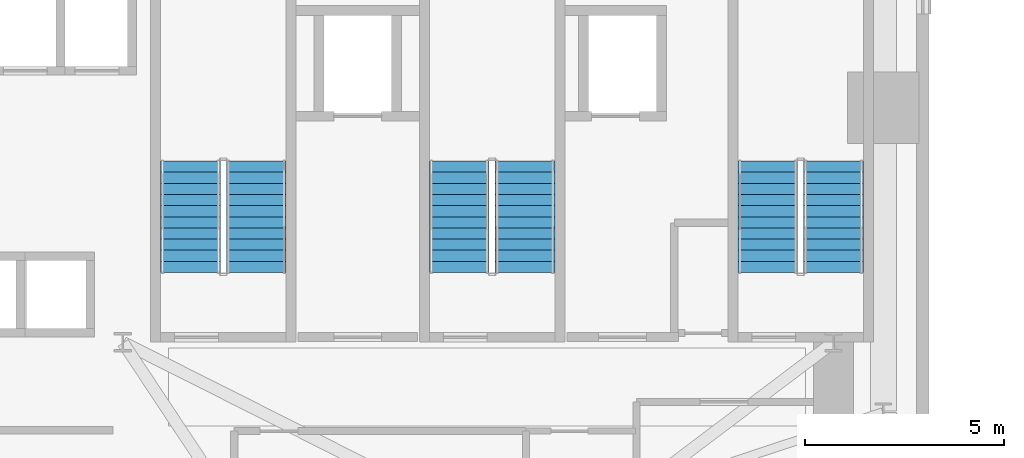
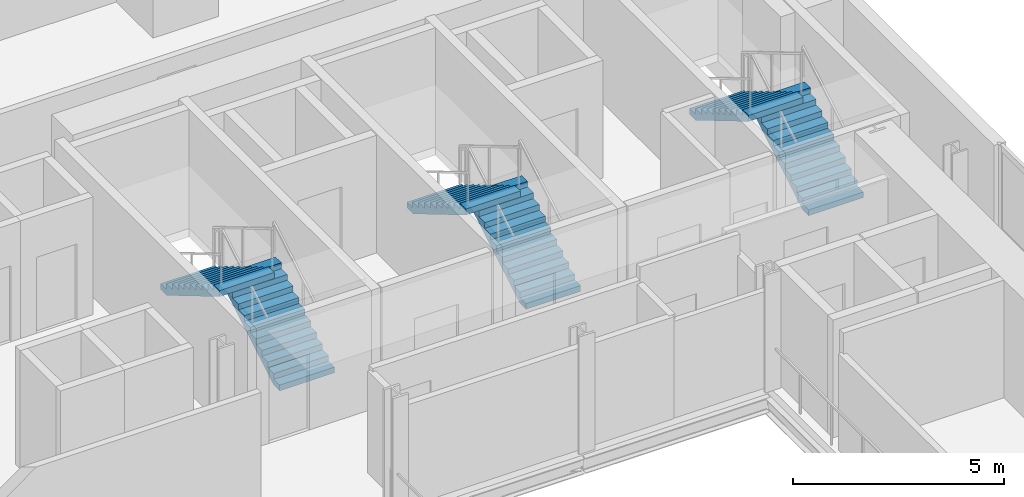
# One storey, part 9 of 13: 6 stair flights, 3 elements without a shape of their own.
"""IFC4 building model written with IfcOpenShell, lengths in metres."""

import ifcopenshell
import ifcopenshell.guid

model = None  # the IFC model being written
_history = None  # IfcOwnerHistory: only IFC2X3 demands one
_inside = {}  # id of a spatial element -> (the spatial element, [elements in it])
_under = {}  # id of a project, library or spatial element -> (it, [spatial elements below it])
_declared = {}  # id of a project -> (the project, [libraries it declares])
_typed = {}  # id of a type object -> (the type object, [elements of that type])
_made_of = {}  # id of a material, layer set ... -> (it, [elements and type objects made of it])


def new_model(schema):
    """Start an empty IFC model of exactly this schema.

    Asked for "IFC4X3", IfcOpenShell would pick the latest addendum, in which some entities
    have other attributes; the version numbers below select the first issue.
    IFC2X3 requires an IfcOwnerHistory on every rooted entity: one is made here for all.
    """
    global model, _history
    if schema == "IFC4X3":
        model = ifcopenshell.file(schema_version=(4, 3, 0, 0))
    else:
        model = ifcopenshell.file(schema=schema)
    _inside.clear()
    _under.clear()
    _declared.clear()
    _typed.clear()
    _made_of.clear()
    _history = None
    if model.schema == "IFC2X3":
        org = make("IfcOrganization", Name="unknown")
        user = make(
            "IfcPersonAndOrganization",
            ThePerson=make("IfcPerson", FamilyName="unknown"),
            TheOrganization=org,
        )
        app = make(
            "IfcApplication",
            ApplicationDeveloper=org,
            Version="unknown",
            ApplicationFullName="unknown",
            ApplicationIdentifier="unknown",
        )
        _history = make(
            "IfcOwnerHistory",
            OwningUser=user,
            OwningApplication=app,
            ChangeAction="ADDED",
            CreationDate=0,
        )
    return model


def make(cls, **values):
    """One entity of the class cls with the attributes given. An attribute that is None is left unset."""
    return model.create_entity(
        cls, **{name: value for name, value in values.items() if value is not None}
    )


def rooted(cls, **values):
    """An entity with a GlobalId (a new one), such as an element, a storey or a relation."""
    return make(cls, GlobalId=ifcopenshell.guid.new(), OwnerHistory=_history, **values)


def si_unit(unit_type, name, prefix=None):
    """IfcSIUnit, for example si_unit("LENGTHUNIT", "METRE", prefix="MILLI")."""
    return make("IfcSIUnit", UnitType=unit_type, Prefix=prefix, Name=name)


def assignment(units):
    """IfcUnitAssignment: the units of a project."""
    return None if units is None else make("IfcUnitAssignment", Units=units)


def point(xyz):
    """IfcCartesianPoint."""
    return None if xyz is None else make("IfcCartesianPoint", Coordinates=xyz)


def direction(xyz):
    """IfcDirection."""
    return None if xyz is None else make("IfcDirection", DirectionRatios=xyz)


def frame(location, z_axis=None, x_axis=None):
    """IfcAxis2Placement3D, a coordinate frame: its origin and axes. An axis left out is left unset."""
    return make(
        "IfcAxis2Placement3D",
        Location=point(location),
        Axis=direction(z_axis),
        RefDirection=direction(x_axis),
    )


def origin():
    """The frame at (0, 0, 0) with its axes left unset."""
    return frame((0.0, 0.0, 0.0))


def place(relative_to, where):
    """IfcLocalPlacement: puts the frame where relative to a parent placement (None: the world)."""
    return make(
        "IfcLocalPlacement", PlacementRelTo=relative_to, RelativePlacement=where
    )


def context(
    kind, dimensions, precision=None, world=None, true_north=None, identifier=None
):
    """IfcGeometricRepresentationContext, for example the 3D "Model" context."""
    return make(
        "IfcGeometricRepresentationContext",
        ContextIdentifier=identifier,
        ContextType=kind,
        CoordinateSpaceDimension=dimensions,
        Precision=precision,
        WorldCoordinateSystem=world,
        TrueNorth=true_north,
    )


def subcontext(parent, identifier, kind, view, scale=None):
    """IfcGeometricRepresentationSubContext, for example "Body" below "Model"."""
    return make(
        "IfcGeometricRepresentationSubContext",
        ContextIdentifier=identifier,
        ContextType=kind,
        ParentContext=parent,
        TargetScale=scale,
        TargetView=view,
    )


def project(units=None, contexts=None):
    """IfcProject with its units and contexts."""
    return rooted(
        "IfcProject",
        Name="project",
        RepresentationContexts=contexts,
        UnitsInContext=assignment(units),
    )


def spatial(cls, under=None, at=None, **own):
    """A site, building, storey or space (cls), placed at a placement, below another one or the project."""
    s = rooted(cls, ObjectPlacement=at, **own)
    if under is not None:
        _under.setdefault(under.id(), (under, []))[1].append(s)
    return s


def polyline(points):
    """IfcPolyline through the points."""
    return make("IfcPolyline", Points=[point(p) for p in points])


def outline(outer, holes=None, kind="AREA"):
    """IfcArbitraryClosedProfileDef: a profile drawn as a closed curve; with holes, ...WithVoids."""
    if holes is None:
        return make("IfcArbitraryClosedProfileDef", ProfileType=kind, OuterCurve=outer)
    return make(
        "IfcArbitraryProfileDefWithVoids",
        ProfileType=kind,
        OuterCurve=outer,
        InnerCurves=holes,
    )


def extrude(swept, where, along, depth):
    """IfcExtrudedAreaSolid: the profile swept, set in the frame where, extruded along a direction by depth."""
    return make(
        "IfcExtrudedAreaSolid",
        SweptArea=swept,
        Position=where,
        ExtrudedDirection=direction(along),
        Depth=depth,
    )


def shape(context_of_items, identifier, shape_type, items):
    """IfcShapeRepresentation: the items that make up one representation, for example the "Body"."""
    return make(
        "IfcShapeRepresentation",
        ContextOfItems=context_of_items,
        RepresentationIdentifier=identifier,
        RepresentationType=shape_type,
        Items=items,
    )


def source(mapping_origin, context_of_items, identifier, shape_type, items):
    """IfcRepresentationMap: a shape defined once, which mapped items show again and again."""
    return make(
        "IfcRepresentationMap",
        MappingOrigin=mapping_origin,
        MappedRepresentation=shape(context_of_items, identifier, shape_type, items),
    )


def transform(
    local_origin,
    x_axis=None,
    y_axis=None,
    z_axis=None,
    scale=None,
    scale2=None,
    scale3=None,
    uniform=True,
):
    """IfcCartesianTransformationOperator3D, or its non-uniform kind. x_axis, y_axis, z_axis: its Axis1, 2, 3."""
    if uniform:
        return make(
            "IfcCartesianTransformationOperator3D",
            Axis1=direction(x_axis),
            Axis2=direction(y_axis),
            LocalOrigin=point(local_origin),
            Scale=scale,
            Axis3=direction(z_axis),
        )
    return make(
        "IfcCartesianTransformationOperator3DnonUniform",
        Axis1=direction(x_axis),
        Axis2=direction(y_axis),
        LocalOrigin=point(local_origin),
        Scale=scale,
        Axis3=direction(z_axis),
        Scale2=scale2,
        Scale3=scale3,
    )


def mapped(mapping_source, mapping_target):
    """IfcMappedItem: shows the shape of a source again, moved by a transform."""
    return make(
        "IfcMappedItem", MappingSource=mapping_source, MappingTarget=mapping_target
    )


def material(Name=None, Category=None):
    """IfcMaterial."""
    return make("IfcMaterial", Name=Name, Category=Category)


def made_of(thing, what):
    """Note that an element or type object is made of a material, layer set ...; save() writes the relation."""
    if what is not None:
        _made_of.setdefault(what.id(), (what, []))[1].append(thing)
    return thing


def type_object(cls, material=None, **own):
    """A type object (cls), such as IfcWallType, which elements share."""
    return made_of(rooted(cls, **own), material)


def element(
    cls,
    number,
    at=None,
    inside=None,
    cuts=None,
    type_object=None,
    material=None,
    context=None,
    identifier="Body",
    shape_type=None,
    held_by="IfcProductDefinitionShape",
    body=None,
    shapes=None,
    **own,
):
    """One element of the class cls, such as IfcWall. Its Tag is "e" and its number.

    at: its placement. inside: the storey or other place that contains it. cuts: it is an
    opening in that element (IfcRelVoidsElement). A single representation is given by context,
    identifier, shape_type and body (its items); several are given by shapes. held_by: the class
    of the entity that holds the representations. save() writes the other relations.
    """
    e = rooted(cls, Tag="e%d" % number, ObjectPlacement=at, **own)
    if body is not None:
        shapes = [shape(context, identifier, shape_type, body)]
    if shapes is not None:
        e.Representation = make(held_by, Representations=shapes)
    if inside is not None:
        _inside.setdefault(inside.id(), (inside, []))[1].append(e)
    if cuts is not None:
        rooted(
            "IfcRelVoidsElement", RelatingBuildingElement=cuts, RelatedOpeningElement=e
        )
    if type_object is not None:
        _typed.setdefault(type_object.id(), (type_object, []))[1].append(e)
    return made_of(e, material)


def aggregate(whole, parts):
    """IfcRelAggregates: a whole, such as a stair, and the parts it consists of."""
    return rooted("IfcRelAggregates", RelatingObject=whole, RelatedObjects=parts)


def save(model, path):
    """Write the relations noted so far, then the file.

    IfcRelAggregates (storeys below a building ...), IfcRelContainedInSpatialStructure (elements
    in a storey), IfcRelDefinesByType, IfcRelAssociatesMaterial and IfcRelDeclares: one each for
    every whole, place, type object, material and project.
    """
    for whole, parts in _under.values():
        aggregate(whole, parts)
    for where, things in _inside.values():
        rooted(
            "IfcRelContainedInSpatialStructure",
            RelatedElements=things,
            RelatingStructure=where,
        )
    for kind, things in _typed.values():
        rooted("IfcRelDefinesByType", RelatedObjects=things, RelatingType=kind)
    for what, things in _made_of.values():
        rooted("IfcRelAssociatesMaterial", RelatedObjects=things, RelatingMaterial=what)
    for by, libraries in _declared.values():
        rooted("IfcRelDeclares", RelatingContext=by, RelatedDefinitions=libraries)
    model.write(path)


model = new_model("IFC4")

# Units and contexts
model_context = context("Model", 3, precision=1e-05, world=origin(), true_north=direction((0.0, 1.0)))
body_context = subcontext(model_context, "Body", "Model", "MODEL_VIEW")
ifc_project = project(units=[si_unit("LENGTHUNIT", "METRE"), si_unit("AREAUNIT", "SQUARE_METRE"), si_unit("VOLUMEUNIT", "CUBIC_METRE"), si_unit("PLANEANGLEUNIT", "RADIAN"), si_unit("MASSUNIT", "GRAM", prefix="KILO")], contexts=[model_context])

# Site, building, storey
site_placement = place(None, origin())
site = spatial("IfcSite", under=ifc_project, at=site_placement, CompositionType="ELEMENT")
building_placement = place(site_placement, origin())
building = spatial("IfcBuilding", under=site, at=building_placement, Name="Vardaveli Station Tower", CompositionType="ELEMENT")
storey_placement = place(building_placement, frame((0.0, 0.0, 82.35009765625)))
storey = spatial("IfcBuildingStorey", under=building, at=storey_placement, Name="L21", CompositionType="ELEMENT", Elevation=82.35009765625)

# Stair, stair flights
ifc_material = material(Name="Concrete C40/50", Category="concrete")
stair_type = type_object("IfcStairType", Name="STR-CORE-1500", PredefinedType="HALF_TURN_STAIR", material=ifc_material)
stair_1_placement = place(storey_placement, origin())
stair_1 = element("IfcStair", 1, at=stair_1_placement, inside=storey, type_object=stair_type, Name="L21 ST-1", PredefinedType="HALF_TURN_STAIR")
stair_flight_type = type_object("IfcStairFlightType", Name="SFL-CORE-1500", PredefinedType="STRAIGHT", material=ifc_material)
shared_shape = source(origin(), body_context, "Body", "SweptSolid", [
    extrude(outline(polyline([(0.0, 0.0), (0.0, 0.166015625), (0.280029296875, 0.166015625), (0.280029296875, 0.331787109375), (0.56005859375, 0.331787109375), (0.56005859375, 0.497802734375), (0.840087890625, 0.497802734375), (0.840087890625, 0.66357421875), (1.1201171875, 0.66357421875), (1.1201171875, 0.82958984375), (1.39990234375, 0.82958984375), (1.39990234375, 0.995361328125), (1.679931640625, 0.995361328125), (1.679931640625, 1.161376953125), (1.9599609375, 1.161376953125), (1.9599609375, 1.327392578125), (2.239990234375, 1.327392578125), (2.239990234375, 1.4931640625), (2.52001953125, 1.4931640625), (2.52001953125, 1.6591796875), (2.800048828125, 1.6591796875), (2.800048828125, 1.824951171875), (2.800048828125, 1.48486328125), (0.2939453125, 0.0), (0.0, 0.0)])), frame((0.0, 0.75, 0.0), z_axis=(0.0, -1.0, 0.0), x_axis=(1.0, 0.0, 0.0)), (0.0, 0.0, 1.0), 1.5),
])
stair_flight_1_placement = place(storey_placement, frame((32.0, 32.39990234375, 0.0), z_axis=(0.0, 0.0, 1.0), x_axis=(0.0, 1.0, 0.0)))
stair_flight_1 = element("IfcStairFlight", 2, at=stair_flight_1_placement, type_object=stair_flight_type, Name="ST-1 flight 1", NumberOfRisers=11, NumberOfTreads=10, PredefinedType="STRAIGHT", RiserHeight=0.165909091, TreadLength=0.28, context=body_context, shape_type="MappedRepresentation", body=[
    mapped(shared_shape, transform((0.0, 0.0, 0.0), scale=1.0)),
])
stair_flight_2_placement = place(storey_placement, frame((30.35009765625, 35.199951171875, 1.824951171875), z_axis=(0.0, 0.0, 1.0), x_axis=(0.0, -1.0, 0.0)))
stair_flight_2 = element("IfcStairFlight", 3, at=stair_flight_2_placement, type_object=stair_flight_type, Name="ST-1 flight 2", NumberOfRisers=11, NumberOfTreads=10, PredefinedType="STRAIGHT", RiserHeight=0.165909091, TreadLength=0.28, context=body_context, shape_type="MappedRepresentation", body=[
    mapped(shared_shape, transform((0.0, 0.0, 0.0), scale=1.0)),
])
aggregate(stair_1, [stair_flight_1, stair_flight_2])

stair_2_placement = place(storey_placement, origin())
stair_2 = element("IfcStair", 4, at=stair_2_placement, inside=storey, type_object=stair_type, Name="L21 ST-2", PredefinedType="HALF_TURN_STAIR")
stair_flight_3_placement = place(storey_placement, frame((38.75, 32.39990234375, 0.0), z_axis=(0.0, 0.0, 1.0), x_axis=(0.0, 1.0, 0.0)))
stair_flight_3 = element("IfcStairFlight", 5, at=stair_flight_3_placement, type_object=stair_flight_type, Name="ST-2 flight 1", NumberOfRisers=11, NumberOfTreads=10, PredefinedType="STRAIGHT", RiserHeight=0.165909091, TreadLength=0.28, context=body_context, shape_type="MappedRepresentation", body=[
    mapped(shared_shape, transform((0.0, 0.0, 0.0), scale=1.0)),
])
stair_flight_4_placement = place(storey_placement, frame((37.10009765625, 35.199951171875, 1.824951171875), z_axis=(0.0, 0.0, 1.0), x_axis=(0.0, -1.0, 0.0)))
stair_flight_4 = element("IfcStairFlight", 6, at=stair_flight_4_placement, type_object=stair_flight_type, Name="ST-2 flight 2", NumberOfRisers=11, NumberOfTreads=10, PredefinedType="STRAIGHT", RiserHeight=0.165909091, TreadLength=0.28, context=body_context, shape_type="MappedRepresentation", body=[
    mapped(shared_shape, transform((0.0, 0.0, 0.0), scale=1.0)),
])
aggregate(stair_2, [stair_flight_3, stair_flight_4])

stair_3_placement = place(storey_placement, origin())
stair_3 = element("IfcStair", 7, at=stair_3_placement, inside=storey, type_object=stair_type, Name="L21 ST-3", PredefinedType="HALF_TURN_STAIR")
stair_flight_5_placement = place(storey_placement, frame((46.5, 32.39990234375, 0.0), z_axis=(0.0, 0.0, 1.0), x_axis=(0.0, 1.0, 0.0)))
stair_flight_5 = element("IfcStairFlight", 8, at=stair_flight_5_placement, type_object=stair_flight_type, Name="ST-3 flight 1", NumberOfRisers=11, NumberOfTreads=10, PredefinedType="STRAIGHT", RiserHeight=0.165909091, TreadLength=0.28, context=body_context, shape_type="MappedRepresentation", body=[
    mapped(shared_shape, transform((0.0, 0.0, 0.0), scale=1.0)),
])
stair_flight_6_placement = place(storey_placement, frame((44.85009765625, 35.199951171875, 1.824951171875), z_axis=(0.0, 0.0, 1.0), x_axis=(0.0, -1.0, 0.0)))
stair_flight_6 = element("IfcStairFlight", 9, at=stair_flight_6_placement, type_object=stair_flight_type, Name="ST-3 flight 2", NumberOfRisers=11, NumberOfTreads=10, PredefinedType="STRAIGHT", RiserHeight=0.165909091, TreadLength=0.28, context=body_context, shape_type="MappedRepresentation", body=[
    mapped(shared_shape, transform((0.0, 0.0, 0.0), scale=1.0)),
])
aggregate(stair_3, [stair_flight_5, stair_flight_6])

save(model, "model.ifc")
